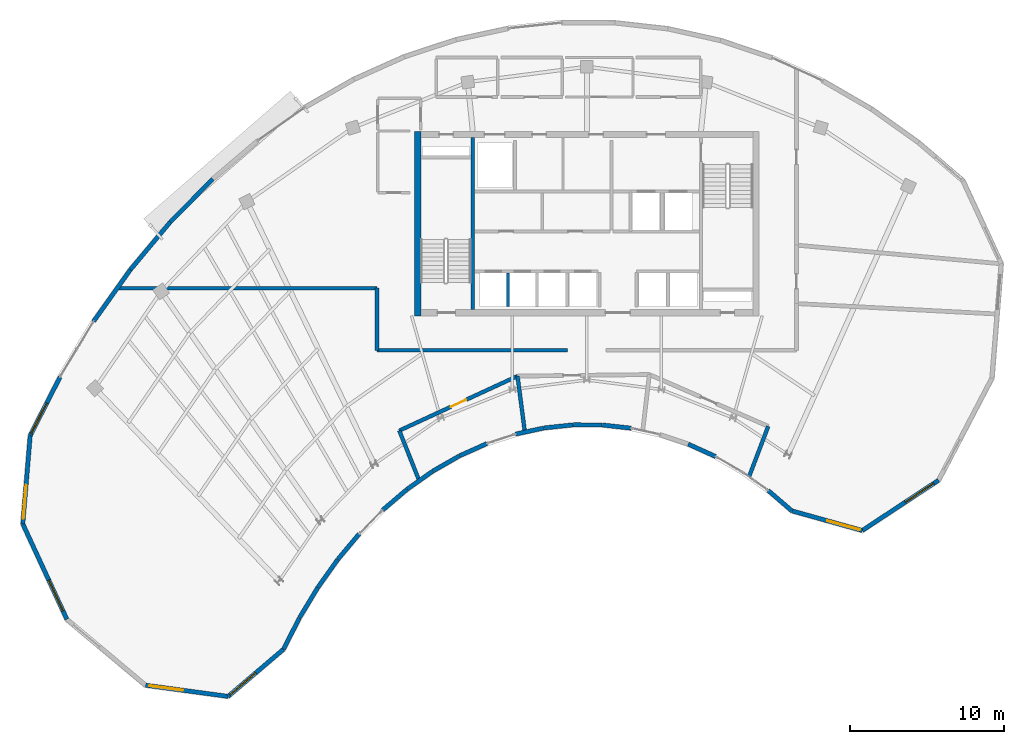
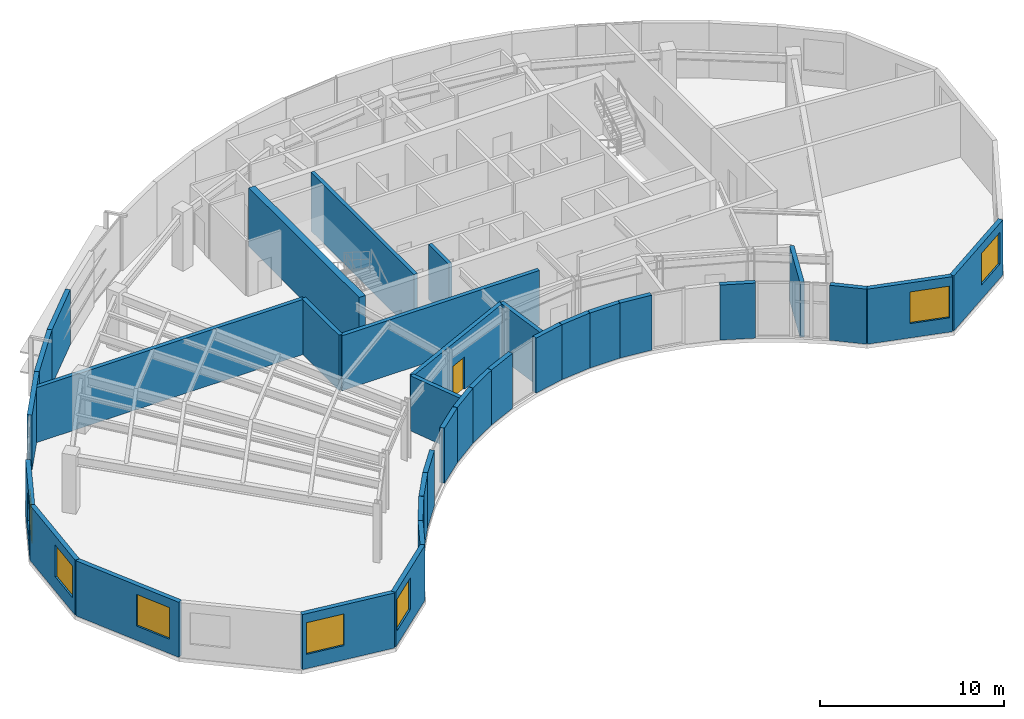
# One storey, part 8 of 12: 34 walls, 7 windows, 1 door, 8 openings.
"""IFC4 building model written with IfcOpenShell, lengths in metres."""

from ifc_helpers import new_model, si_unit, direction, frame, frame_2d, origin, place, context, subcontext, project, spatial, rectangle, extrude, source, transform, mapped, material, layer, layer_set, type_object, type_shapes, element, fill, save


model = new_model("IFC4")

# Units and contexts
model_context = context("Model", 3, precision=1e-05, world=origin(), true_north=direction((0.0, 1.0)))
body_context = subcontext(model_context, "Body", "Model", "MODEL_VIEW")
ifc_project = project(units=[si_unit("LENGTHUNIT", "METRE"), si_unit("AREAUNIT", "SQUARE_METRE"), si_unit("VOLUMEUNIT", "CUBIC_METRE"), si_unit("PLANEANGLEUNIT", "RADIAN"), si_unit("MASSUNIT", "GRAM", prefix="KILO")], contexts=[model_context])

# Site, building, storey
site_placement = place(None, origin())
site = spatial("IfcSite", under=ifc_project, at=site_placement, CompositionType="ELEMENT")
building_placement = place(site_placement, origin())
building = spatial("IfcBuilding", under=site, at=building_placement, Name="Breltana Convention Tower", CompositionType="ELEMENT")
storey_placement = place(building_placement, frame((0.0, 0.0, 267.89990234375)))
storey = spatial("IfcBuildingStorey", under=building, at=storey_placement, Name="L65", CompositionType="ELEMENT", Elevation=267.89990234375)

# Walls
ifc_material_1 = material(Name="Concrete C50/60", Category="concrete")
ifc_layer_1 = layer(ifc_material_1, 0.39990234375, Name="Concrete C50/60")
ifc_layer_set_1 = layer_set([ifc_layer_1], Name="Concrete C50/60")
wall_type_1 = type_object("IfcWallType", Name="SW-CORE-400", PredefinedType="SHEAR", material=ifc_layer_set_1)
shared_shape_1 = source(origin(), body_context, "Body", "SweptSolid", [
    extrude(rectangle(XDim=12.0, YDim=0.39990234375, at=frame_2d((6.0, 0.0))), origin(), (0.0, 0.0, 1.0), 3.900146484375),
])
wall_1_placement = place(storey_placement, frame((37.0, 60.199951171875, 0.0), z_axis=(0.0, 0.0, 1.0), x_axis=(0.0, 1.0, 0.0)))
element("IfcWall", 1, at=wall_1_placement, inside=storey, type_object=wall_type_1, Name="L65 West Core Shear Wall", PredefinedType="SHEAR", context=body_context, shape_type="MappedRepresentation", body=[
    mapped(shared_shape_1, transform((0.0, 0.0, 0.0), scale=1.0)),
])
shared_shape_2 = source(origin(), body_context, "Body", "SweptSolid", [
    extrude(rectangle(XDim=11.199951171875, YDim=0.219970703125, at=frame_2d((5.60009765625, 0.0))), origin(), (0.0, 0.0, 1.0), 3.900146484375),
])
wall_2_placement = place(storey_placement, frame((40.580078125, 60.60009765625, 0.0), z_axis=(0.0, 0.0, 1.0), x_axis=(0.0, 1.0, 0.0)))
element("IfcWall", 2, at=wall_2_placement, inside=storey, type_object=wall_type_1, Name="L65 Core West Stair Spine Wall", PredefinedType="SHEAR", context=body_context, shape_type="MappedRepresentation", body=[
    mapped(shared_shape_2, transform((0.0, 0.0, 0.0), scale=1.0)),
])

# Wall, opening, window
ifc_material_2 = material(Name="Limestone Buff Insulated Wall", Category="masonry")
ifc_layer_2 = layer(ifc_material_2, 0.280029296875, Name="Limestone Buff Insulated Wall")
ifc_layer_set_2 = layer_set([ifc_layer_2], Name="Limestone Buff Insulated Wall")
wall_type_2 = type_object("IfcWallType", Name="WL-EXT-NOSE-280", PredefinedType="SOLIDWALL", material=ifc_layer_set_2)
shared_shape_3 = source(origin(), body_context, "Body", "SweptSolid", [
    extrude(rectangle(XDim=5.9423828125, YDim=0.280029296875, at=frame_2d((2.97119140625, 0.0))), origin(), (0.0, 0.0, 1.0), 3.650146484375),
])
wall_3_placement = place(storey_placement, frame((70.87158203125, 49.513427734375, 0.0), z_axis=(0.0, 0.0, 1.0), x_axis=(-0.834871099304, -0.550445499162, 0.0)))
wall_3 = element("IfcWall", 3, at=wall_3_placement, inside=storey, type_object=wall_type_2, Name="L65 curved limestone nose wall E4", PredefinedType="SOLIDWALL", context=body_context, shape_type="MappedRepresentation", body=[
    mapped(shared_shape_3, transform((0.0, 0.0, 0.0), scale=1.0)),
])
opening_1_placement = place(wall_3_placement, frame((0.385498046875, 0.0, 0.949951171875)))
opening_1 = element("IfcOpeningElement", 4, at=opening_1_placement, cuts=wall_3, Name="Opening W-03", PredefinedType="OPENING", context=body_context, shape_type="SweptSolid", body=[
    extrude(rectangle(XDim=2.199951171875, YDim=2.10009765625, at=frame_2d((1.10009765625, 1.050048828125))), frame((0.0, 0.14990234375, 0.0), z_axis=(0.0, -1.0, 0.0), x_axis=(1.0, 0.0, 0.0)), (0.0, 0.0, 1.0), 0.300048828125),
])
ifc_material_3 = material(Name="Glass Low-E Insulated Window", Category="glass")
window_type = type_object("IfcWindowType", Name="WN-NOSE-2200X2100", PartitioningType="TRIPLE_PANEL_VERTICAL", PredefinedType="WINDOW", material=ifc_material_3)
shared_shape_4 = source(origin(), body_context, "Body", "SweptSolid", [
    extrude(rectangle(XDim=2.199951171875, YDim=2.10009765625, at=frame_2d((1.10009765625, 1.050048828125))), frame((0.0, 0.030029296875, 0.0), z_axis=(0.0, -1.0, 0.0), x_axis=(1.0, 0.0, 0.0)), (0.0, 0.0, 1.0), 0.06005859375),
])
type_shapes(window_type, [shared_shape_4])
window_1_placement = place(opening_1_placement, origin())
window_1 = element("IfcWindow", 5, at=window_1_placement, inside=storey, type_object=window_type, Name="L65 nose window E4", OverallHeight=2.10009765625, OverallWidth=2.199951171875, PartitioningType="TRIPLE_PANEL_VERTICAL", PredefinedType="WINDOW", context=body_context, shape_type="MappedRepresentation", body=[
    mapped(shared_shape_4, transform((0.0, 0.0, 0.0), scale=1.0)),
])
fill(opening_1, window_1)

shared_shape_5 = source(origin(), body_context, "Body", "SweptSolid", [
    extrude(rectangle(XDim=4.74853515625, YDim=0.280029296875, at=frame_2d((2.374267578125, 0.0))), origin(), (0.0, 0.0, 1.0), 3.650146484375),
])
wall_4_placement = place(storey_placement, frame((65.910400390625, 46.242431640625, 0.0), z_axis=(0.0, 0.0, 1.0), x_axis=(-0.963210849911, 0.268746829961, 0.0)))
wall_4 = element("IfcWall", 6, at=wall_4_placement, inside=storey, type_object=wall_type_2, Name="L65 curved limestone nose wall E5", PredefinedType="SOLIDWALL", context=body_context, shape_type="MappedRepresentation", body=[
    mapped(shared_shape_5, transform((0.0, 0.0, 0.0), scale=1.0)),
])
opening_2_placement = place(wall_4_placement, frame((0.159912109375, 0.0, 0.949951171875)))
opening_2 = element("IfcOpeningElement", 7, at=opening_2_placement, cuts=wall_4, Name="Opening W-03", PredefinedType="OPENING", context=body_context, shape_type="SweptSolid", body=[
    extrude(rectangle(XDim=2.199951171875, YDim=2.10009765625, at=frame_2d((1.10009765625, 1.050048828125))), frame((0.0, 0.14990234375, 0.0), z_axis=(0.0, -1.0, 0.0), x_axis=(1.0, 0.0, 0.0)), (0.0, 0.0, 1.0), 0.300048828125),
])
window_2_placement = place(opening_2_placement, origin())
window_2 = element("IfcWindow", 8, at=window_2_placement, inside=storey, type_object=window_type, Name="L65 nose window E5", OverallHeight=2.10009765625, OverallWidth=2.199951171875, PartitioningType="TRIPLE_PANEL_VERTICAL", PredefinedType="WINDOW", context=body_context, shape_type="MappedRepresentation", body=[
    mapped(shared_shape_4, transform((0.0, 0.0, 0.0), scale=1.0)),
])
fill(opening_2, window_2)

# Walls
shared_shape_6 = source(origin(), body_context, "Body", "SweptSolid", [
    extrude(rectangle(XDim=2.040283203125, YDim=0.280029296875, at=frame_2d((1.02001953125, 0.0))), origin(), (0.0, 0.0, 1.0), 3.650146484375),
])
wall_5_placement = place(storey_placement, frame((61.336669921875, 47.5185546875, 0.0), z_axis=(0.0, 0.0, 1.0), x_axis=(-0.758402847119, 0.651786101019, 0.0)))
element("IfcWall", 9, at=wall_5_placement, inside=storey, type_object=wall_type_2, Name="L65 curved limestone nose wall E6", PredefinedType="SOLIDWALL", context=body_context, shape_type="MappedRepresentation", body=[
    mapped(shared_shape_6, transform((0.0, 0.0, 0.0), scale=1.0)),
])
shared_shape_7 = source(origin(), body_context, "Body", "SweptSolid", [
    extrude(rectangle(XDim=1.94970703125, YDim=0.280029296875, at=frame_2d((0.974853515625, 0.0))), origin(), (0.0, 0.0, 1.0), 3.650146484375),
])
wall_6_placement = place(storey_placement, frame((56.37158203125, 51.05224609375, 0.0), z_axis=(0.0, 0.0, 1.0), x_axis=(-0.910507945155, 0.413491574048, 0.0)))
element("IfcWall", 10, at=wall_6_placement, inside=storey, type_object=wall_type_2, Name="L65 curved limestone nose wall E7", PredefinedType="SOLIDWALL", context=body_context, shape_type="MappedRepresentation", body=[
    mapped(shared_shape_7, transform((0.0, 0.0, 0.0), scale=1.0)),
])
shared_shape_8 = source(origin(), body_context, "Body", "SweptSolid", [
    extrude(rectangle(XDim=1.87939453125, YDim=0.280029296875, at=frame_2d((0.939697265625, 0.0))), origin(), (0.0, 0.0, 1.0), 3.650146484375),
])
wall_7_placement = place(storey_placement, frame((50.875244140625, 52.8955078125, 0.0), z_axis=(0.0, 0.0, 1.0), x_axis=(-0.993797887127, 0.111201436782, 0.0)))
element("IfcWall", 11, at=wall_7_placement, inside=storey, type_object=wall_type_2, Name="L65 curved limestone nose wall E9", PredefinedType="SOLIDWALL", context=body_context, shape_type="MappedRepresentation", body=[
    mapped(shared_shape_8, transform((0.0, 0.0, 0.0), scale=1.0)),
])
shared_shape_9 = source(origin(), body_context, "Body", "SweptSolid", [
    extrude(rectangle(XDim=1.874267578125, YDim=0.280029296875, at=frame_2d((0.93701171875, 0.0))), origin(), (0.0, 0.0, 1.0), 3.650146484375),
])
wall_8_placement = place(storey_placement, frame((48.988037109375, 53.105712890625, 0.0), z_axis=(0.0, 0.0, 1.0), x_axis=(-0.999995893899, 0.002865690982, 0.0)))
element("IfcWall", 12, at=wall_8_placement, inside=storey, type_object=wall_type_2, Name="L65 curved limestone nose wall E10", PredefinedType="SOLIDWALL", context=body_context, shape_type="MappedRepresentation", body=[
    mapped(shared_shape_9, transform((0.0, 0.0, 0.0), scale=1.0)),
])
shared_shape_10 = source(origin(), body_context, "Body", "SweptSolid", [
    extrude(rectangle(XDim=1.87890625, YDim=0.280029296875, at=frame_2d((0.939453125, 0.0))), origin(), (0.0, 0.0, 1.0), 3.650146484375),
])
wall_9_placement = place(storey_placement, frame((47.09423828125, 53.110107421875, 0.0), z_axis=(0.0, 0.0, 1.0), x_axis=(-0.994431872813, -0.105381451568, 0.0)))
element("IfcWall", 13, at=wall_9_placement, inside=storey, type_object=wall_type_2, Name="L65 curved limestone nose wall E11", PredefinedType="SOLIDWALL", context=body_context, shape_type="MappedRepresentation", body=[
    mapped(shared_shape_10, transform((0.0, 0.0, 0.0), scale=1.0)),
])
shared_shape_11 = source(origin(), body_context, "Body", "SweptSolid", [
    extrude(rectangle(XDim=1.89306640625, YDim=0.280029296875, at=frame_2d((0.946533203125, 0.0))), origin(), (0.0, 0.0, 1.0), 3.650146484375),
])
wall_10_placement = place(storey_placement, frame((45.206787109375, 52.908935546875, 0.0), z_axis=(0.0, 0.0, 1.0), x_axis=(-0.977379595344, -0.21149261596, 0.0)))
element("IfcWall", 14, at=wall_10_placement, inside=storey, type_object=wall_type_2, Name="L65 curved limestone nose wall E12", PredefinedType="SOLIDWALL", context=body_context, shape_type="MappedRepresentation", body=[
    mapped(shared_shape_11, transform((0.0, 0.0, 0.0), scale=1.0)),
])
shared_shape_12 = source(origin(), body_context, "Body", "SweptSolid", [
    extrude(rectangle(XDim=1.94775390625, YDim=0.280029296875, at=frame_2d((0.973876953125, 0.0))), origin(), (0.0, 0.0, 1.0), 3.650146484375),
])
wall_11_placement = place(storey_placement, frame((41.501220703125, 51.896728515625, 0.0), z_axis=(0.0, 0.0, 1.0), x_axis=(-0.912712483043, -0.408602402461, 0.0)))
element("IfcWall", 15, at=wall_11_placement, inside=storey, type_object=wall_type_2, Name="L65 curved limestone nose wall E13", PredefinedType="SOLIDWALL", context=body_context, shape_type="MappedRepresentation", body=[
    mapped(shared_shape_12, transform((0.0, 0.0, 0.0), scale=1.0)),
])
shared_shape_13 = source(origin(), body_context, "Body", "SweptSolid", [
    extrude(rectangle(XDim=1.98583984375, YDim=0.280029296875, at=frame_2d((0.992919921875, 0.0))), origin(), (0.0, 0.0, 1.0), 3.650146484375),
])
wall_12_placement = place(storey_placement, frame((39.70751953125, 51.0927734375, 0.0), z_axis=(0.0, 0.0, 1.0), x_axis=(-0.867940364671, -0.496668423976, 0.0)))
element("IfcWall", 16, at=wall_12_placement, inside=storey, type_object=wall_type_2, Name="L65 curved limestone nose wall E14", PredefinedType="SOLIDWALL", context=body_context, shape_type="MappedRepresentation", body=[
    mapped(shared_shape_13, transform((0.0, 0.0, 0.0), scale=1.0)),
])
shared_shape_14 = source(origin(), body_context, "Body", "SweptSolid", [
    extrude(rectangle(XDim=2.029541015625, YDim=0.280029296875, at=frame_2d((1.0146484375, 0.0))), origin(), (0.0, 0.0, 1.0), 3.650146484375),
])
wall_13_placement = place(storey_placement, frame((37.969482421875, 50.097412109375, 0.0), z_axis=(0.0, 0.0, 1.0), x_axis=(-0.816987864272, -0.576654861796, 0.0)))
element("IfcWall", 17, at=wall_13_placement, inside=storey, type_object=wall_type_2, Name="L65 curved limestone nose wall E15", PredefinedType="SOLIDWALL", context=body_context, shape_type="MappedRepresentation", body=[
    mapped(shared_shape_14, transform((0.0, 0.0, 0.0), scale=1.0)),
])
shared_shape_15 = source(origin(), body_context, "Body", "SweptSolid", [
    extrude(rectangle(XDim=2.07763671875, YDim=0.280029296875, at=frame_2d((1.038818359375, 0.0))), origin(), (0.0, 0.0, 1.0), 3.650146484375),
])
wall_14_placement = place(storey_placement, frame((36.29833984375, 48.9169921875, 0.0), z_axis=(0.0, 0.0, 1.0), x_axis=(-0.761475215802, -0.648194026291, 0.0)))
element("IfcWall", 18, at=wall_14_placement, inside=storey, type_object=wall_type_2, Name="L65 curved limestone nose wall E16", PredefinedType="SOLIDWALL", context=body_context, shape_type="MappedRepresentation", body=[
    mapped(shared_shape_15, transform((0.0, 0.0, 0.0), scale=1.0)),
])
shared_shape_16 = source(origin(), body_context, "Body", "SweptSolid", [
    extrude(rectangle(XDim=2.1796875, YDim=0.280029296875, at=frame_2d((1.08984375, 0.0))), origin(), (0.0, 0.0, 1.0), 3.650146484375),
])
wall_15_placement = place(storey_placement, frame((33.19970703125, 46.03466796875, 0.0), z_axis=(0.0, 0.0, 1.0), x_axis=(-0.641835571889, -0.766842290603, 0.0)))
element("IfcWall", 19, at=wall_15_placement, inside=storey, type_object=wall_type_2, Name="L65 curved limestone nose wall E17", PredefinedType="SOLIDWALL", context=body_context, shape_type="MappedRepresentation", body=[
    mapped(shared_shape_16, transform((0.0, 0.0, 0.0), scale=1.0)),
])
shared_shape_17 = source(origin(), body_context, "Body", "SweptSolid", [
    extrude(rectangle(XDim=2.231201171875, YDim=0.280029296875, at=frame_2d((1.11572265625, 0.0))), origin(), (0.0, 0.0, 1.0), 3.650146484375),
])
wall_16_placement = place(storey_placement, frame((31.792236328125, 44.35205078125, 0.0), z_axis=(0.0, 0.0, 1.0), x_axis=(-0.579622296598, -0.814885263879, 0.0)))
element("IfcWall", 20, at=wall_16_placement, inside=storey, type_object=wall_type_2, Name="L65 curved limestone nose wall E18", PredefinedType="SOLIDWALL", context=body_context, shape_type="MappedRepresentation", body=[
    mapped(shared_shape_17, transform((0.0, 0.0, 0.0), scale=1.0)),
])
shared_shape_18 = source(origin(), body_context, "Body", "SweptSolid", [
    extrude(rectangle(XDim=2.28076171875, YDim=0.280029296875, at=frame_2d((1.140380859375, 0.0))), origin(), (0.0, 0.0, 1.0), 3.650146484375),
])
wall_17_placement = place(storey_placement, frame((30.49169921875, 42.522705078125, 0.0), z_axis=(0.0, 0.0, 1.0), x_axis=(-0.516917942662, -0.856034952881, 0.0)))
element("IfcWall", 21, at=wall_17_placement, inside=storey, type_object=wall_type_2, Name="L65 curved limestone nose wall E19", PredefinedType="SOLIDWALL", context=body_context, shape_type="MappedRepresentation", body=[
    mapped(shared_shape_18, transform((0.0, 0.0, 0.0), scale=1.0)),
])
shared_shape_19 = source(origin(), body_context, "Body", "SweptSolid", [
    extrude(rectangle(XDim=2.291748046875, YDim=0.280029296875, at=frame_2d((1.14599609375, 0.0))), origin(), (0.0, 0.0, 1.0), 3.650146484375),
])
wall_18_placement = place(storey_placement, frame((29.306396484375, 40.558837890625, 0.0), z_axis=(0.0, 0.0, 1.0), x_axis=(-0.453933760778, -0.891035431858, 0.0)))
element("IfcWall", 22, at=wall_18_placement, inside=storey, type_object=wall_type_2, Name="L65 curved limestone nose wall W1", PredefinedType="SOLIDWALL", context=body_context, shape_type="MappedRepresentation", body=[
    mapped(shared_shape_19, transform((0.0, 0.0, 0.0), scale=1.0)),
])

# Wall, opening, window
shared_shape_20 = source(origin(), body_context, "Body", "SweptSolid", [
    extrude(rectangle(XDim=4.731689453125, YDim=0.280029296875, at=frame_2d((2.36572265625, 0.0))), origin(), (0.0, 0.0, 1.0), 3.650146484375),
])
wall_19_placement = place(storey_placement, frame((28.26611328125, 38.516845703125, 0.0), z_axis=(0.0, 0.0, 1.0), x_axis=(-0.761912583238, -0.647679871158, 0.0)))
wall_19 = element("IfcWall", 23, at=wall_19_placement, inside=storey, type_object=wall_type_2, Name="L65 curved limestone nose wall W2", PredefinedType="SOLIDWALL", context=body_context, shape_type="MappedRepresentation", body=[
    mapped(shared_shape_20, transform((0.0, 0.0, 0.0), scale=1.0)),
])
opening_3_placement = place(wall_19_placement, frame((2.371826171875, 0.0, 0.949951171875)))
opening_3 = element("IfcOpeningElement", 24, at=opening_3_placement, cuts=wall_19, Name="Opening W-03", PredefinedType="OPENING", context=body_context, shape_type="SweptSolid", body=[
    extrude(rectangle(XDim=2.199951171875, YDim=2.10009765625, at=frame_2d((1.10009765625, 1.050048828125))), frame((0.0, 0.14990234375, 0.0), z_axis=(0.0, -1.0, 0.0), x_axis=(1.0, 0.0, 0.0)), (0.0, 0.0, 1.0), 0.300048828125),
])
window_3_placement = place(opening_3_placement, origin())
window_3 = element("IfcWindow", 25, at=window_3_placement, inside=storey, type_object=window_type, Name="L65 nose window W2", OverallHeight=2.10009765625, OverallWidth=2.199951171875, PartitioningType="TRIPLE_PANEL_VERTICAL", PredefinedType="WINDOW", context=body_context, shape_type="MappedRepresentation", body=[
    mapped(shared_shape_4, transform((0.0, 0.0, 0.0), scale=1.0)),
])
fill(opening_3, window_3)

shared_shape_21 = source(origin(), body_context, "Body", "SweptSolid", [
    extrude(rectangle(XDim=5.40771484375, YDim=0.280029296875, at=frame_2d((2.703857421875, 0.0))), origin(), (0.0, 0.0, 1.0), 3.650146484375),
])
wall_20_placement = place(storey_placement, frame((24.660888671875, 35.4521484375, 0.0), z_axis=(0.0, 0.0, 1.0), x_axis=(-0.990932903229, 0.134357661853, 0.0)))
wall_20 = element("IfcWall", 26, at=wall_20_placement, inside=storey, type_object=wall_type_2, Name="L65 curved limestone nose wall W3", PredefinedType="SOLIDWALL", context=body_context, shape_type="MappedRepresentation", body=[
    mapped(shared_shape_21, transform((0.0, 0.0, 0.0), scale=1.0)),
])
opening_4_placement = place(wall_20_placement, frame((2.955810546875, 0.0, 0.949951171875)))
opening_4 = element("IfcOpeningElement", 27, at=opening_4_placement, cuts=wall_20, Name="Opening W-03", PredefinedType="OPENING", context=body_context, shape_type="SweptSolid", body=[
    extrude(rectangle(XDim=2.199951171875, YDim=2.10009765625, at=frame_2d((1.10009765625, 1.050048828125))), frame((0.0, 0.14990234375, 0.0), z_axis=(0.0, -1.0, 0.0), x_axis=(1.0, 0.0, 0.0)), (0.0, 0.0, 1.0), 0.300048828125),
])
window_4_placement = place(opening_4_placement, origin())
window_4 = element("IfcWindow", 28, at=window_4_placement, inside=storey, type_object=window_type, Name="L65 nose window W3", OverallHeight=2.10009765625, OverallWidth=2.199951171875, PartitioningType="TRIPLE_PANEL_VERTICAL", PredefinedType="WINDOW", context=body_context, shape_type="MappedRepresentation", body=[
    mapped(shared_shape_4, transform((0.0, 0.0, 0.0), scale=1.0)),
])
fill(opening_4, window_4)

shared_shape_22 = source(origin(), body_context, "Body", "SweptSolid", [
    extrude(rectangle(XDim=6.8369140625, YDim=0.280029296875, at=frame_2d((3.41845703125, 0.0))), origin(), (0.0, 0.0, 1.0), 3.650146484375),
])
wall_21_placement = place(storey_placement, frame((14.18408203125, 40.464111328125, 0.0), z_axis=(0.0, 0.0, 1.0), x_axis=(-0.419621957862, 0.907698965781, 0.0)))
wall_21 = element("IfcWall", 29, at=wall_21_placement, inside=storey, type_object=wall_type_2, Name="L65 curved limestone nose wall W5", PredefinedType="SOLIDWALL", context=body_context, shape_type="MappedRepresentation", body=[
    mapped(shared_shape_22, transform((0.0, 0.0, 0.0), scale=1.0)),
])
opening_5_placement = place(wall_21_placement, frame((0.609130859375, 0.0, 0.949951171875)))
opening_5 = element("IfcOpeningElement", 30, at=opening_5_placement, cuts=wall_21, Name="Opening W-03", PredefinedType="OPENING", context=body_context, shape_type="SweptSolid", body=[
    extrude(rectangle(XDim=2.199951171875, YDim=2.10009765625, at=frame_2d((1.10009765625, 1.050048828125))), frame((0.0, 0.14990234375, 0.0), z_axis=(0.0, -1.0, 0.0), x_axis=(1.0, 0.0, 0.0)), (0.0, 0.0, 1.0), 0.300048828125),
])
window_5_placement = place(opening_5_placement, origin())
window_5 = element("IfcWindow", 31, at=window_5_placement, inside=storey, type_object=window_type, Name="L65 nose window W5", OverallHeight=2.10009765625, OverallWidth=2.199951171875, PartitioningType="TRIPLE_PANEL_VERTICAL", PredefinedType="WINDOW", context=body_context, shape_type="MappedRepresentation", body=[
    mapped(shared_shape_4, transform((0.0, 0.0, 0.0), scale=1.0)),
])
fill(opening_5, window_5)

shared_shape_23 = source(origin(), body_context, "Body", "SweptSolid", [
    extrude(rectangle(XDim=5.7626953125, YDim=0.280029296875, at=frame_2d((2.88134765625, 0.0))), origin(), (0.0, 0.0, 1.0), 3.650146484375),
])
wall_22_placement = place(storey_placement, frame((11.315185546875, 46.669921875, 0.0), z_axis=(0.0, 0.0, 1.0), x_axis=(0.083290906041, 0.996525275631, 0.0)))
wall_22 = element("IfcWall", 32, at=wall_22_placement, inside=storey, type_object=wall_type_2, Name="L65 curved limestone nose wall W6", PredefinedType="SOLIDWALL", context=body_context, shape_type="MappedRepresentation", body=[
    mapped(shared_shape_23, transform((0.0, 0.0, 0.0), scale=1.0)),
])
opening_6_placement = place(wall_22_placement, frame((0.3408203125, 0.0, 0.949951171875)))
opening_6 = element("IfcOpeningElement", 33, at=opening_6_placement, cuts=wall_22, Name="Opening W-03", PredefinedType="OPENING", context=body_context, shape_type="SweptSolid", body=[
    extrude(rectangle(XDim=2.199951171875, YDim=2.10009765625, at=frame_2d((1.10009765625, 1.050048828125))), frame((0.0, 0.14990234375, 0.0), z_axis=(0.0, -1.0, 0.0), x_axis=(1.0, 0.0, 0.0)), (0.0, 0.0, 1.0), 0.300048828125),
])
window_6_placement = place(opening_6_placement, origin())
window_6 = element("IfcWindow", 34, at=window_6_placement, inside=storey, type_object=window_type, Name="L65 nose window W6", OverallHeight=2.10009765625, OverallWidth=2.199951171875, PartitioningType="TRIPLE_PANEL_VERTICAL", PredefinedType="WINDOW", context=body_context, shape_type="MappedRepresentation", body=[
    mapped(shared_shape_4, transform((0.0, 0.0, 0.0), scale=1.0)),
])
fill(opening_6, window_6)

shared_shape_24 = source(origin(), body_context, "Body", "SweptSolid", [
    extrude(rectangle(XDim=4.281494140625, YDim=0.280029296875, at=frame_2d((2.140625, 0.0))), origin(), (0.0, 0.0, 1.0), 3.650146484375),
])
wall_23_placement = place(storey_placement, frame((11.795166015625, 52.41259765625, 0.0), z_axis=(0.0, 0.0, 1.0), x_axis=(0.454020597637, 0.890991187903, 0.0)))
wall_23 = element("IfcWall", 35, at=wall_23_placement, inside=storey, type_object=wall_type_2, Name="L65 curved limestone nose wall W7", PredefinedType="SOLIDWALL", context=body_context, shape_type="MappedRepresentation", body=[
    mapped(shared_shape_24, transform((0.0, 0.0, 0.0), scale=1.0)),
])
opening_7_placement = place(wall_23_placement, frame((0.159912109375, 0.0, 0.949951171875)))
opening_7 = element("IfcOpeningElement", 36, at=opening_7_placement, cuts=wall_23, Name="Opening W-03", PredefinedType="OPENING", context=body_context, shape_type="SweptSolid", body=[
    extrude(rectangle(XDim=2.199951171875, YDim=2.10009765625, at=frame_2d((1.10009765625, 1.050048828125))), frame((0.0, 0.14990234375, 0.0), z_axis=(0.0, -1.0, 0.0), x_axis=(1.0, 0.0, 0.0)), (0.0, 0.0, 1.0), 0.300048828125),
])
window_7_placement = place(opening_7_placement, origin())
window_7 = element("IfcWindow", 37, at=window_7_placement, inside=storey, type_object=window_type, Name="L65 nose window W7", OverallHeight=2.10009765625, OverallWidth=2.199951171875, PartitioningType="TRIPLE_PANEL_VERTICAL", PredefinedType="WINDOW", context=body_context, shape_type="MappedRepresentation", body=[
    mapped(shared_shape_4, transform((0.0, 0.0, 0.0), scale=1.0)),
])
fill(opening_7, window_7)

# Walls
shared_shape_25 = source(origin(), body_context, "Body", "SweptSolid", [
    extrude(rectangle(XDim=4.12939453125, YDim=0.280029296875, at=frame_2d((2.064697265625, 0.0))), origin(), (0.0, 0.0, 1.0), 3.650146484375),
])
wall_24_placement = place(storey_placement, frame((15.92138671875, 59.842041015625, 0.0), z_axis=(0.0, 0.0, 1.0), x_axis=(0.57959272029, 0.814906300495, 0.0)))
element("IfcWall", 38, at=wall_24_placement, inside=storey, type_object=wall_type_2, Name="L65 curved limestone nose wall E20", PredefinedType="SOLIDWALL", context=body_context, shape_type="MappedRepresentation", body=[
    mapped(shared_shape_25, transform((0.0, 0.0, 0.0), scale=1.0)),
])
shared_shape_26 = source(origin(), body_context, "Body", "SweptSolid", [
    extrude(rectangle(XDim=4.033447265625, YDim=0.280029296875, at=frame_2d((2.0166015625, 0.0))), origin(), (0.0, 0.0, 1.0), 3.650146484375),
])
wall_25_placement = place(storey_placement, frame((18.314697265625, 63.20703125, 0.0), z_axis=(0.0, 0.0, 1.0), x_axis=(0.641778577123, 0.766889990772, 0.0)))
element("IfcWall", 39, at=wall_25_placement, inside=storey, type_object=wall_type_2, Name="L65 curved limestone nose wall E21", PredefinedType="SOLIDWALL", context=body_context, shape_type="MappedRepresentation", body=[
    mapped(shared_shape_26, transform((0.0, 0.0, 0.0), scale=1.0)),
])
shared_shape_27 = source(origin(), body_context, "Body", "SweptSolid", [
    extrude(rectangle(XDim=3.936767578125, YDim=0.280029296875, at=frame_2d((1.96826171875, 0.0))), origin(), (0.0, 0.0, 1.0), 3.650146484375),
])
wall_26_placement = place(storey_placement, frame((20.9033203125, 66.30029296875, 0.0), z_axis=(0.0, 0.0, 1.0), x_axis=(0.702690019653, 0.711496125274, 0.0)))
element("IfcWall", 40, at=wall_26_placement, inside=storey, type_object=wall_type_2, Name="L65 curved limestone nose wall E22", PredefinedType="SOLIDWALL", context=body_context, shape_type="MappedRepresentation", body=[
    mapped(shared_shape_27, transform((0.0, 0.0, 0.0), scale=1.0)),
])
ifc_material_4 = material(Name="Autoclaved Aerated Concrete Block", Category="concrete")
ifc_layer_3 = layer(ifc_material_4, 0.199951171875, Name="Autoclaved Aerated Concrete Block")
ifc_layer_set_3 = layer_set([ifc_layer_3], Name="Autoclaved Aerated Concrete Block")
wall_type_3 = type_object("IfcWallType", Name="WL-SHAFT-200", PredefinedType="SOLIDWALL", material=ifc_layer_set_3)
shared_shape_28 = source(origin(), body_context, "Body", "SweptSolid", [
    extrude(rectangle(XDim=2.199951171875, YDim=0.199951171875, at=frame_2d((1.10009765625, 0.0))), origin(), (0.0, 0.0, 1.0), 3.650146484375),
])
wall_27_placement = place(storey_placement, frame((42.8701171875, 60.800048828125, 0.0), z_axis=(0.0, 0.0, 1.0), x_axis=(0.0, 1.0, 0.0)))
element("IfcWall", 41, at=wall_27_placement, inside=storey, type_object=wall_type_3, Name="L65 interior partition W-L65-SH-S-DIV1", PredefinedType="SOLIDWALL", context=body_context, shape_type="MappedRepresentation", body=[
    mapped(shared_shape_28, transform((0.0, 0.0, 0.0), scale=1.0)),
])

# Wall, opening, door
ifc_material_5 = material(Name="Gypsum Acoustic Double Stud Wall")
ifc_layer_4 = layer(ifc_material_5, 0.25, Name="Gypsum Acoustic Double Stud Wall")
ifc_layer_set_4 = layer_set([ifc_layer_4], Name="Gypsum Acoustic Double Stud Wall")
wall_type_4 = type_object("IfcWallType", Name="WL-ACOUSTIC-250", PredefinedType="PARTITIONING", material=ifc_layer_set_4)
shared_shape_29 = source(origin(), body_context, "Body", "SweptSolid", [
    extrude(rectangle(XDim=8.464111328125, YDim=0.25, at=frame_2d((4.23193359375, 0.0))), origin(), (0.0, 0.0, 1.0), 3.650146484375),
])
wall_28_placement = place(storey_placement, frame((35.802978515625, 52.73828125, 0.0), z_axis=(0.0, 0.0, 1.0), x_axis=(0.90801678306, 0.418933791524, 0.0)))
wall_28 = element("IfcWall", 42, at=wall_28_placement, inside=storey, type_object=wall_type_4, Name="L65 interior partition W-L65-ES1-COR", PredefinedType="PARTITIONING", context=body_context, shape_type="MappedRepresentation", body=[
    mapped(shared_shape_29, transform((0.0, 0.0, 0.0), scale=1.0)),
])
opening_8_placement = place(wall_28_placement, frame((3.68212890625, 0.0, 0.0)))
opening_8 = element("IfcOpeningElement", 43, at=opening_8_placement, cuts=wall_28, Name="Opening D-12", PredefinedType="OPENING", context=body_context, shape_type="SweptSolid", body=[
    extrude(rectangle(XDim=1.10009765625, YDim=2.14990234375, at=frame_2d((0.550048828125, 1.074951171875))), frame((0.0, 0.135009765625, 0.0), z_axis=(0.0, -1.0, 0.0), x_axis=(1.0, 0.0, 0.0)), (0.0, 0.0, 1.0), 0.27001953125),
])
ifc_material_6 = material(Name="Timber Oak Acoustic Door", Category="wood")
door_type = type_object("IfcDoorType", Name="DR-INT-1100", OperationType="NOTDEFINED", PredefinedType="DOOR", material=ifc_material_6)
shared_shape_30 = source(origin(), body_context, "Body", "SweptSolid", [
    extrude(rectangle(XDim=1.10009765625, YDim=2.14990234375, at=frame_2d((0.550048828125, 1.074951171875))), frame((0.0, 0.02490234375, 0.0), z_axis=(0.0, -1.0, 0.0), x_axis=(1.0, 0.0, 0.0)), (0.0, 0.0, 1.0), 0.050048828125),
])
type_shapes(door_type, [shared_shape_30])
door_placement = place(opening_8_placement, origin())
door = element("IfcDoor", 44, at=door_placement, inside=storey, type_object=door_type, Name="L65 interior door D-L65-ES1", OperationType="SINGLE_SWING_LEFT", OverallHeight=2.14990234375, OverallWidth=1.10009765625, PredefinedType="DOOR", context=body_context, shape_type="MappedRepresentation", body=[
    mapped(shared_shape_30, transform((0.0, 0.0, 0.0), scale=1.0)),
])
fill(opening_8, door)

# Walls
shared_shape_31 = source(origin(), body_context, "Body", "SweptSolid", [
    extrude(rectangle(XDim=3.49462890625, YDim=0.25, at=frame_2d((1.747314453125, 0.0))), origin(), (0.0, 0.0, 1.0), 3.650146484375),
])
wall_29_placement = place(storey_placement, frame((37.092041015625, 49.489990234375, 0.0), z_axis=(0.0, 0.0, 1.0), x_axis=(-0.368859890644, 0.929485008526, 0.0)))
element("IfcWall", 45, at=wall_29_placement, inside=storey, type_object=wall_type_4, Name="L65 interior partition W-L65-ES1-RA", PredefinedType="PARTITIONING", context=body_context, shape_type="MappedRepresentation", body=[
    mapped(shared_shape_31, transform((0.0, 0.0, 0.0), scale=1.0)),
])
shared_shape_32 = source(origin(), body_context, "Body", "SweptSolid", [
    extrude(rectangle(XDim=3.66455078125, YDim=0.25, at=frame_2d((1.832275390625, 0.0))), origin(), (0.0, 0.0, 1.0), 3.650146484375),
])
wall_30_placement = place(storey_placement, frame((43.966796875, 52.65087890625, 0.0), z_axis=(0.0, 0.0, 1.0), x_axis=(-0.130509659129, 0.991447037856, 0.0)))
element("IfcWall", 46, at=wall_30_placement, inside=storey, type_object=wall_type_4, Name="L65 interior partition W-L65-ES1-RB", PredefinedType="PARTITIONING", context=body_context, shape_type="MappedRepresentation", body=[
    mapped(shared_shape_32, transform((0.0, 0.0, 0.0), scale=1.0)),
])
shared_shape_33 = source(origin(), body_context, "Body", "SweptSolid", [
    extrude(rectangle(XDim=3.501953125, YDim=0.25, at=frame_2d((1.7509765625, 0.0))), origin(), (0.0, 0.0, 1.0), 3.650146484375),
])
wall_31_placement = place(storey_placement, frame((58.550048828125, 49.74560546875, 0.0), z_axis=(0.0, 0.0, 1.0), x_axis=(0.35542122772, 0.934706237749, 0.0)))
element("IfcWall", 47, at=wall_31_placement, inside=storey, type_object=wall_type_4, Name="L65 interior partition W-L65-ES3-RB", PredefinedType="PARTITIONING", context=body_context, shape_type="MappedRepresentation", body=[
    mapped(shared_shape_33, transform((0.0, 0.0, 0.0), scale=1.0)),
])
shared_shape_34 = source(origin(), body_context, "Body", "SweptSolid", [
    extrude(rectangle(XDim=12.389892578125, YDim=0.25, at=frame_2d((6.19482421875, 0.0))), origin(), (0.0, 0.0, 1.0), 3.650146484375),
])
wall_32_placement = place(storey_placement, frame((34.360107421875, 57.9599609375, 0.0), z_axis=(0.0, 0.0, 1.0), x_axis=(1.0, 0.0, 0.0)))
element("IfcWall", 48, at=wall_32_placement, inside=storey, type_object=wall_type_4, Name="L65 interior partition W-L65-Z45-CSW", PredefinedType="PARTITIONING", context=body_context, shape_type="MappedRepresentation", body=[
    mapped(shared_shape_34, transform((0.0, 0.0, 0.0), scale=1.0)),
])
shared_shape_35 = source(origin(), body_context, "Body", "SweptSolid", [
    extrude(rectangle(XDim=16.8916015625, YDim=0.25, at=frame_2d((8.44580078125, 0.0))), origin(), (0.0, 0.0, 1.0), 3.650146484375),
])
wall_33_placement = place(storey_placement, frame((17.468505859375, 62.0, 0.0), z_axis=(0.0, 0.0, 1.0), x_axis=(1.0, 0.0, 0.0)))
element("IfcWall", 49, at=wall_33_placement, inside=storey, type_object=wall_type_4, Name="L65 interior partition W-L65-EXW1-N", PredefinedType="PARTITIONING", context=body_context, shape_type="MappedRepresentation", body=[
    mapped(shared_shape_35, transform((0.0, 0.0, 0.0), scale=1.0)),
])
shared_shape_36 = source(origin(), body_context, "Body", "SweptSolid", [
    extrude(rectangle(XDim=4.0400390625, YDim=0.25, at=frame_2d((2.02001953125, 0.0))), origin(), (0.0, 0.0, 1.0), 3.650146484375),
])
wall_34_placement = place(storey_placement, frame((34.360107421875, 57.9599609375, 0.0), z_axis=(0.0, 0.0, 1.0), x_axis=(0.0, 1.0, 0.0)))
element("IfcWall", 50, at=wall_34_placement, inside=storey, type_object=wall_type_4, Name="L65 interior partition W-L65-EXW1-ENT", PredefinedType="PARTITIONING", context=body_context, shape_type="MappedRepresentation", body=[
    mapped(shared_shape_36, transform((0.0, 0.0, 0.0), scale=1.0)),
])

save(model, "model.ifc")
